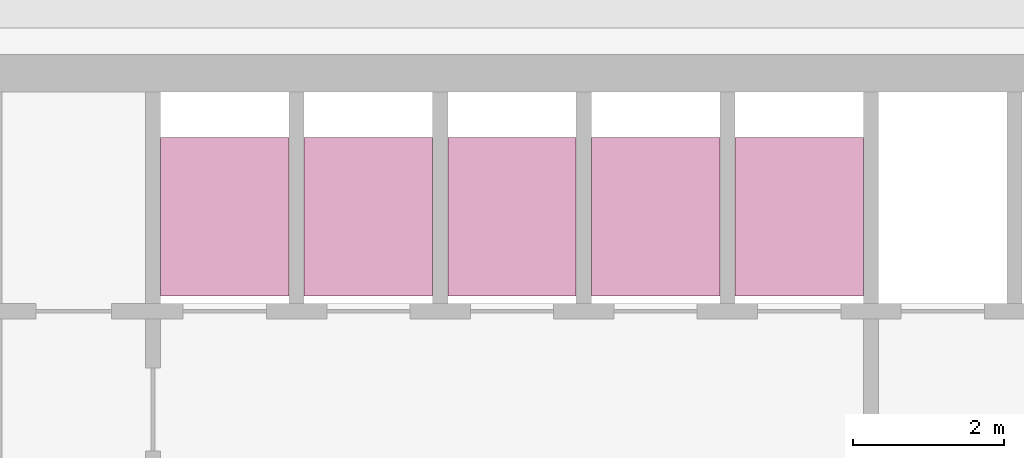
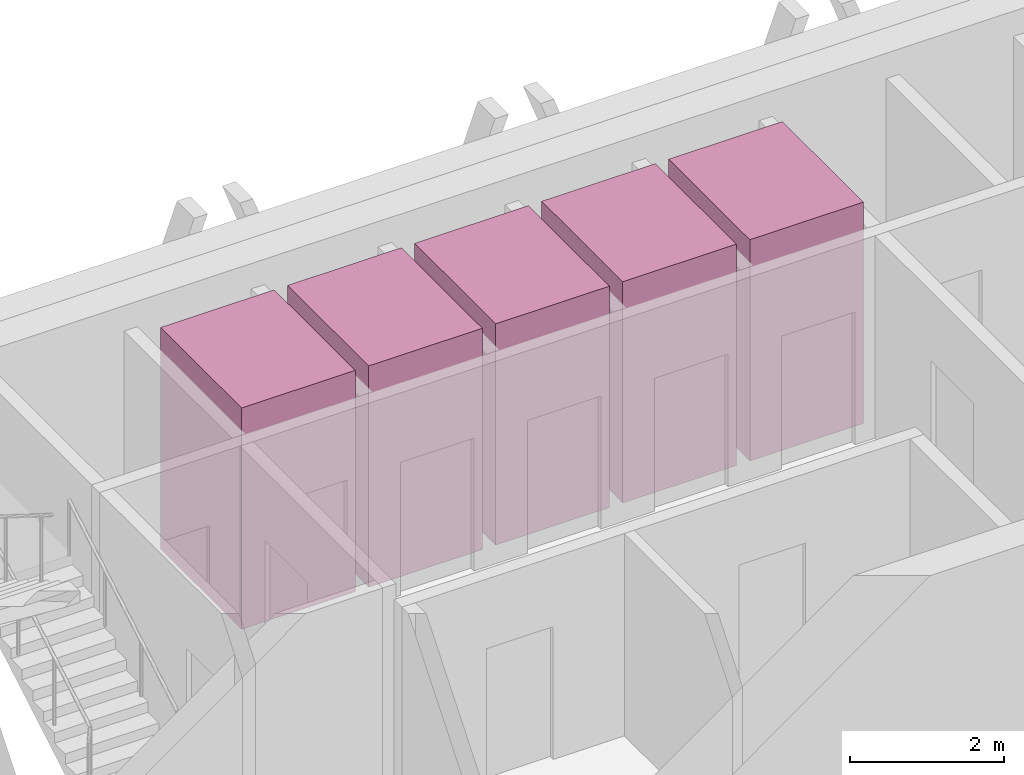
# One storey, part 10 of 10: 5 transport elements.
"""IFC4 building model written with IfcOpenShell, lengths in metres."""

from ifc_helpers import new_model, si_unit, direction, frame, origin, origin_2d, place, context, subcontext, project, spatial, rectangle, extrude, material, type_object, element, save


model = new_model("IFC4")

# Units and contexts
model_context = context("Model", 3, precision=1e-05, world=origin(), true_north=direction((0.0, 1.0)))
body_context = subcontext(model_context, "Body", "Model", "MODEL_VIEW")
ifc_project = project(units=[si_unit("LENGTHUNIT", "METRE"), si_unit("AREAUNIT", "SQUARE_METRE"), si_unit("VOLUMEUNIT", "CUBIC_METRE"), si_unit("PLANEANGLEUNIT", "RADIAN"), si_unit("MASSUNIT", "GRAM", prefix="KILO")], contexts=[model_context])

# Site, building, storey
site_placement = place(None, origin())
site = spatial("IfcSite", under=ifc_project, at=site_placement, CompositionType="ELEMENT")
building_placement = place(site_placement, origin())
building = spatial("IfcBuilding", under=site, at=building_placement, Name="Altiplano Prism Tower", CompositionType="ELEMENT")
storey_placement = place(building_placement, frame((0.0, 0.0, 320.199951171875)))
storey = spatial("IfcBuildingStorey", under=building, at=storey_placement, Name="L83", CompositionType="ELEMENT", Elevation=320.199951171875)

# Transport elements
ifc_material = material(Name="Stainless steel lift car", Category="steel")
transport_element_type = type_object("IfcTransportElementType", Name="Passenger lift car 1600 x 2100", PredefinedType="ELEVATOR", material=ifc_material)
for number, where, z_axis, x_axis, name in (
    (1, (79.050048828125, 101.75, 0.050048828125), (0.0, 0.0, 1.0), (1.0, 0.0, 0.0), "High Zone Passenger Lift 1"),
    (2, (80.949951171875, 101.75, 0.050048828125), (0.0, 0.0, 1.0), (1.0, 0.0, 0.0), "High Zone Passenger Lift 2"),
    (3, (82.85009765625, 101.75, 0.050048828125), (0.0, 0.0, 1.0), (1.0, 0.0, 0.0), "High Zone Passenger Lift 3"),
    (4, (84.75, 101.75, 0.050048828125), (0.0, 0.0, 1.0), (1.0, 0.0, 0.0), "High Zone Passenger Lift 4"),
    (5, (86.64990234375, 101.75, 0.050048828125), (0.0, 0.0, 1.0), (1.0, 0.0, 0.0), "High Zone Passenger Lift 5"),
):
    element("IfcTransportElement", number, at=place(storey_placement, frame(where, z_axis=z_axis, x_axis=x_axis)), inside=storey, type_object=transport_element_type, Name=name, PredefinedType="ELEVATOR", context=body_context, shape_type="SweptSolid", body=[
        extrude(rectangle(XDim=1.699951171875, YDim=2.10009765625, at=origin_2d()), origin(), (0.0, 0.0, 1.0), 3.5),
    ])

save(model, "model.ifc")
